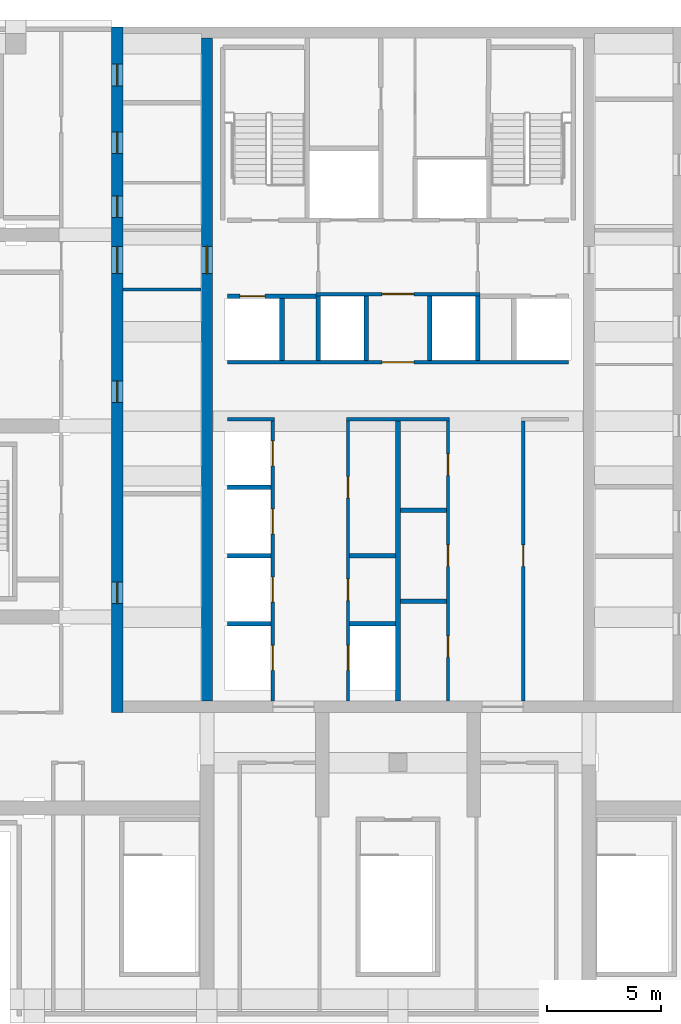
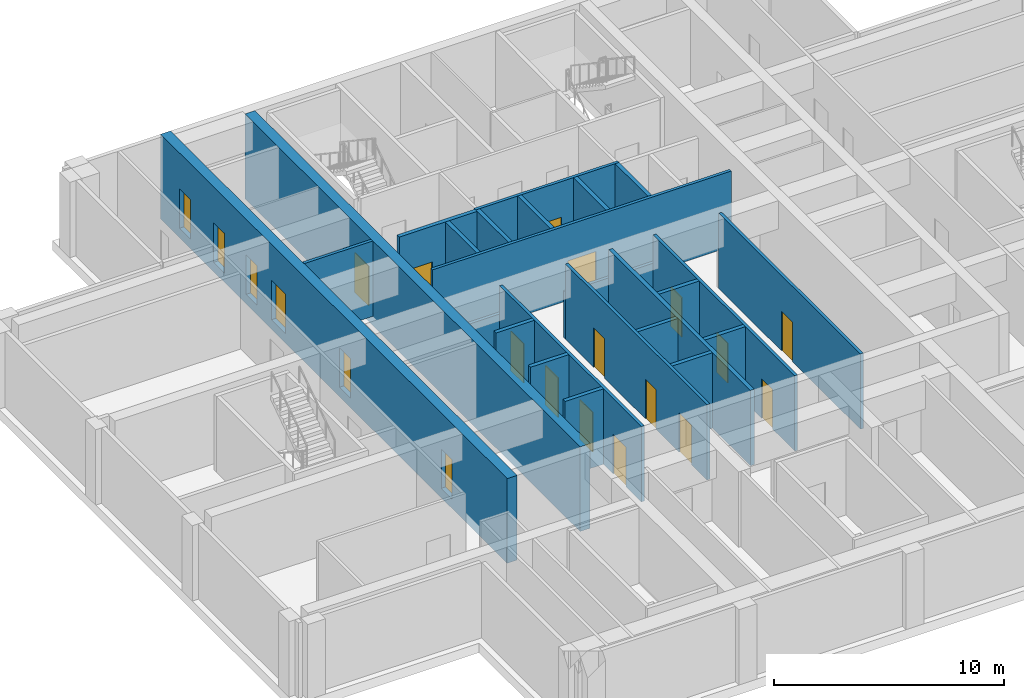
# One storey, part 3 of 11: 25 walls, 21 doors, 21 openings.
"""IFC4 building model written with IfcOpenShell, lengths in metres."""

from ifc_helpers import new_model, si_unit, direction, frame, frame_2d, origin, place, context, subcontext, project, spatial, rectangle, extrude, material, layer, layer_set, type_object, element, fill, save


model = new_model("IFC4")

# Units and contexts
model_context = context("Model", 3, precision=1e-05, world=origin(), true_north=direction((0.0, 1.0)))
body_context = subcontext(model_context, "Body", "Model", "MODEL_VIEW")
ifc_project = project(units=[si_unit("LENGTHUNIT", "METRE"), si_unit("AREAUNIT", "SQUARE_METRE"), si_unit("VOLUMEUNIT", "CUBIC_METRE"), si_unit("PLANEANGLEUNIT", "RADIAN"), si_unit("MASSUNIT", "GRAM", prefix="KILO")], contexts=[model_context])

# Site, building, storey
site_placement = place(None, origin())
site = spatial("IfcSite", under=ifc_project, at=site_placement, CompositionType="ELEMENT")
building_placement = place(site_placement, origin())
building = spatial("IfcBuilding", under=site, at=building_placement, Name="Vermilion Ogive Tower", CompositionType="ELEMENT")
storey_placement = place(building_placement, frame((0.0, 0.0, 264.85009765625)))
storey = spatial("IfcBuildingStorey", under=building, at=storey_placement, Name="L70", CompositionType="ELEMENT", Elevation=264.85009765625)

# Wall, openings, doors
ifc_material_1 = material(Name="Concrete B60", Category="concrete")
ifc_layer_1 = layer(ifc_material_1, 0.5)
ifc_layer_set_1 = layer_set([ifc_layer_1], Name="Core wall 500 B60")
wall_type_1 = type_object("IfcWallType", Name="Core wall 500 B60", PredefinedType="SHEAR", material=ifc_layer_set_1)
wall_1_placement = place(storey_placement, frame((-12.35009765625, -8.39990234375, -0.5), z_axis=(0.0, 0.0, 1.0), x_axis=(0.0, 1.0, 0.0)))
wall_1 = element("IfcWall", 1, at=wall_1_placement, inside=storey, type_object=wall_type_1, Name="L70-CORE-W", PredefinedType="SHEAR", context=body_context, shape_type="SweptSolid", body=[
    extrude(rectangle(XDim=30.14990234375, YDim=0.5, at=frame_2d((15.074951171875, 0.0))), origin(), (0.0, 0.0, 1.0), 4.5),
])
opening_1_placement = place(wall_1_placement, frame((4.78759765625, 0.0, 0.5)))
opening_1 = element("IfcOpeningElement", 2, at=opening_1_placement, cuts=wall_1, Name="Opening DAW006", PredefinedType="OPENING", context=body_context, shape_type="SweptSolid", body=[
    extrude(rectangle(XDim=0.949951171875, YDim=2.10009765625, at=frame_2d((0.47509765625, 1.050048828125))), frame((0.0, 0.260009765625, 0.0), z_axis=(0.0, -1.0, 0.0), x_axis=(1.0, 0.0, 0.0)), (0.0, 0.0, 1.0), 0.52001953125),
])
opening_2_placement = place(wall_1_placement, frame((13.6376953125, 0.0, 0.5)))
opening_2 = element("IfcOpeningElement", 3, at=opening_2_placement, cuts=wall_1, Name="Opening DAW007", PredefinedType="OPENING", context=body_context, shape_type="SweptSolid", body=[
    extrude(rectangle(XDim=0.949951171875, YDim=2.10009765625, at=frame_2d((0.47509765625, 1.050048828125))), frame((0.0, 0.260009765625, 0.0), z_axis=(0.0, -1.0, 0.0), x_axis=(1.0, 0.0, 0.0)), (0.0, 0.0, 1.0), 0.52001953125),
])
opening_3_placement = place(wall_1_placement, frame((21.7705078125, 0.0, 0.5)))
opening_3 = element("IfcOpeningElement", 4, at=opening_3_placement, cuts=wall_1, Name="Opening DAW008", PredefinedType="OPENING", context=body_context, shape_type="SweptSolid", body=[
    extrude(rectangle(XDim=0.949951171875, YDim=2.10009765625, at=frame_2d((0.47509765625, 1.050048828125))), frame((0.0, 0.260009765625, 0.0), z_axis=(0.0, -1.0, 0.0), x_axis=(1.0, 0.0, 0.0)), (0.0, 0.0, 1.0), 0.52001953125),
])
opening_4_placement = place(wall_1_placement, frame((24.57568359375, 0.0, 0.5)))
opening_4 = element("IfcOpeningElement", 5, at=opening_4_placement, cuts=wall_1, Name="Opening DAW009", PredefinedType="OPENING", context=body_context, shape_type="SweptSolid", body=[
    extrude(rectangle(XDim=0.949951171875, YDim=2.10009765625, at=frame_2d((0.47509765625, 1.050048828125))), frame((0.0, 0.260009765625, 0.0), z_axis=(0.0, -1.0, 0.0), x_axis=(1.0, 0.0, 0.0)), (0.0, 0.0, 1.0), 0.52001953125),
])
opening_5_placement = place(wall_1_placement, frame((27.555419921875, 0.0, 0.5)))
opening_5 = element("IfcOpeningElement", 6, at=opening_5_placement, cuts=wall_1, Name="Opening DAW010", PredefinedType="OPENING", context=body_context, shape_type="SweptSolid", body=[
    extrude(rectangle(XDim=0.949951171875, YDim=2.10009765625, at=frame_2d((0.47509765625, 1.050048828125))), frame((0.0, 0.260009765625, 0.0), z_axis=(0.0, -1.0, 0.0), x_axis=(1.0, 0.0, 0.0)), (0.0, 0.0, 1.0), 0.52001953125),
])
opening_6_placement = place(wall_1_placement, frame((19.300048828125, 0.0, 0.5)))
opening_6 = element("IfcOpeningElement", 7, at=opening_6_placement, cuts=wall_1, Name="Opening DBM003", PredefinedType="OPENING", context=body_context, shape_type="SweptSolid", body=[
    extrude(rectangle(XDim=1.199951171875, YDim=2.10009765625, at=frame_2d((0.60009765625, 1.050048828125))), frame((0.0, 0.260009765625, 0.0), z_axis=(0.0, -1.0, 0.0), x_axis=(1.0, 0.0, 0.0)), (0.0, 0.0, 1.0), 0.52001953125),
])
ifc_material_2 = material(Name="Timber door leaf", Category="wood")
door_type_1 = type_object("IfcDoorType", Name="Link door 1200 x 2100 FD60S", OperationType="SINGLE_SWING_LEFT", PredefinedType="DOOR", material=ifc_material_2)
door_1_placement = place(opening_6_placement, origin())
door_1 = element("IfcDoor", 8, at=door_1_placement, inside=storey, type_object=door_type_1, Name="L70-CKW-XL", OperationType="SINGLE_SWING_LEFT", OverallHeight=2.10009765625, OverallWidth=1.199951171875, PredefinedType="DOOR", context=body_context, shape_type="SweptSolid", body=[
    extrude(rectangle(XDim=1.199951171875, YDim=2.10009765625, at=frame_2d((0.60009765625, 1.050048828125))), frame((0.0, 0.02490234375, 0.0), z_axis=(0.0, -1.0, 0.0), x_axis=(1.0, 0.0, 0.0)), (0.0, 0.0, 1.0), 0.050048828125),
])
fill(opening_6, door_1)
ifc_material_3 = material(Name="Timber door leaf", Category="wood")
door_type_2 = type_object("IfcDoorType", Name="Service door 950 x 2100 FD60", OperationType="SINGLE_SWING_LEFT", PredefinedType="DOOR", material=ifc_material_3)
door_2_placement = place(opening_1_placement, origin())
door_2 = element("IfcDoor", 9, at=door_2_placement, inside=storey, type_object=door_type_2, Name="L70-CKW-XR0", OperationType="SINGLE_SWING_LEFT", OverallHeight=2.10009765625, OverallWidth=0.949951171875, PredefinedType="DOOR", context=body_context, shape_type="SweptSolid", body=[
    extrude(rectangle(XDim=0.949951171875, YDim=2.10009765625, at=frame_2d((0.47509765625, 1.050048828125))), frame((0.0, 0.02490234375, 0.0), z_axis=(0.0, -1.0, 0.0), x_axis=(1.0, 0.0, 0.0)), (0.0, 0.0, 1.0), 0.050048828125),
])
fill(opening_1, door_2)
door_3_placement = place(opening_2_placement, origin())
door_3 = element("IfcDoor", 10, at=door_3_placement, inside=storey, type_object=door_type_2, Name="L70-CKW-XR1", OperationType="SINGLE_SWING_LEFT", OverallHeight=2.10009765625, OverallWidth=0.949951171875, PredefinedType="DOOR", context=body_context, shape_type="SweptSolid", body=[
    extrude(rectangle(XDim=0.949951171875, YDim=2.10009765625, at=frame_2d((0.47509765625, 1.050048828125))), frame((0.0, 0.02490234375, 0.0), z_axis=(0.0, -1.0, 0.0), x_axis=(1.0, 0.0, 0.0)), (0.0, 0.0, 1.0), 0.050048828125),
])
fill(opening_2, door_3)
door_4_placement = place(opening_3_placement, origin())
door_4 = element("IfcDoor", 11, at=door_4_placement, inside=storey, type_object=door_type_2, Name="L70-CKW-XR2", OperationType="SINGLE_SWING_LEFT", OverallHeight=2.10009765625, OverallWidth=0.949951171875, PredefinedType="DOOR", context=body_context, shape_type="SweptSolid", body=[
    extrude(rectangle(XDim=0.949951171875, YDim=2.10009765625, at=frame_2d((0.47509765625, 1.050048828125))), frame((0.0, 0.02490234375, 0.0), z_axis=(0.0, -1.0, 0.0), x_axis=(1.0, 0.0, 0.0)), (0.0, 0.0, 1.0), 0.050048828125),
])
fill(opening_3, door_4)
door_5_placement = place(opening_4_placement, origin())
door_5 = element("IfcDoor", 12, at=door_5_placement, inside=storey, type_object=door_type_2, Name="L70-CKW-XR3", OperationType="SINGLE_SWING_LEFT", OverallHeight=2.10009765625, OverallWidth=0.949951171875, PredefinedType="DOOR", context=body_context, shape_type="SweptSolid", body=[
    extrude(rectangle(XDim=0.949951171875, YDim=2.10009765625, at=frame_2d((0.47509765625, 1.050048828125))), frame((0.0, 0.02490234375, 0.0), z_axis=(0.0, -1.0, 0.0), x_axis=(1.0, 0.0, 0.0)), (0.0, 0.0, 1.0), 0.050048828125),
])
fill(opening_4, door_5)
door_6_placement = place(opening_5_placement, origin())
door_6 = element("IfcDoor", 13, at=door_6_placement, inside=storey, type_object=door_type_2, Name="L70-CKW-XR4", OperationType="SINGLE_SWING_LEFT", OverallHeight=2.10009765625, OverallWidth=0.949951171875, PredefinedType="DOOR", context=body_context, shape_type="SweptSolid", body=[
    extrude(rectangle(XDim=0.949951171875, YDim=2.10009765625, at=frame_2d((0.47509765625, 1.050048828125))), frame((0.0, 0.02490234375, 0.0), z_axis=(0.0, -1.0, 0.0), x_axis=(1.0, 0.0, 0.0)), (0.0, 0.0, 1.0), 0.050048828125),
])
fill(opening_5, door_6)

# Wall, opening, door
wall_2_placement = place(storey_placement, frame((-8.39990234375, -7.89990234375, -0.5), z_axis=(0.0, 0.0, 1.0), x_axis=(0.0, 1.0, 0.0)))
wall_2 = element("IfcWall", 14, at=wall_2_placement, inside=storey, type_object=wall_type_1, Name="L70-CORE-WEB1", PredefinedType="SHEAR", context=body_context, shape_type="SweptSolid", body=[
    extrude(rectangle(XDim=29.14990234375, YDim=0.5, at=frame_2d((14.574951171875, 0.0))), origin(), (0.0, 0.0, 1.0), 4.5),
])
opening_7_placement = place(wall_2_placement, frame((18.800048828125, 0.0, 0.5)))
opening_7 = element("IfcOpeningElement", 15, at=opening_7_placement, cuts=wall_2, Name="Opening DBS002", PredefinedType="OPENING", context=body_context, shape_type="SweptSolid", body=[
    extrude(rectangle(XDim=1.199951171875, YDim=2.10009765625, at=frame_2d((0.60009765625, 1.050048828125))), frame((0.0, 0.260009765625, 0.0), z_axis=(0.0, -1.0, 0.0), x_axis=(1.0, 0.0, 0.0)), (0.0, 0.0, 1.0), 0.52001953125),
])
door_7_placement = place(opening_7_placement, origin())
door_7 = element("IfcDoor", 16, at=door_7_placement, inside=storey, type_object=door_type_1, Name="L70-CKW-XW", OperationType="SINGLE_SWING_LEFT", OverallHeight=2.10009765625, OverallWidth=1.199951171875, PredefinedType="DOOR", context=body_context, shape_type="SweptSolid", body=[
    extrude(rectangle(XDim=1.199951171875, YDim=2.10009765625, at=frame_2d((0.60009765625, 1.050048828125))), frame((0.0, 0.02490234375, 0.0), z_axis=(0.0, -1.0, 0.0), x_axis=(1.0, 0.0, 0.0)), (0.0, 0.0, 1.0), 0.050048828125),
])
fill(opening_7, door_7)

# Walls
ifc_material_4 = material(Name="Gypsum board partition on steel studs", Category="steel")
ifc_layer_2 = layer(ifc_material_4, 0.14990234375)
ifc_layer_set_2 = layer_set([ifc_layer_2], Name="Partition 150 corridor")
wall_type_2 = type_object("IfcWallType", Name="Partition 150 corridor", PredefinedType="PARTITIONING", material=ifc_layer_set_2)
wall_3_placement = place(storey_placement, frame((-7.5, 4.5, 0.0), z_axis=(0.0, 0.0, 1.0), x_axis=(1.0, 0.0, 0.0)))
element("IfcWall", 17, at=wall_3_placement, inside=storey, type_object=wall_type_2, Name="L70-CK-W-W008", PredefinedType="PARTITIONING", context=body_context, shape_type="SweptSolid", body=[
    extrude(rectangle(XDim=2.074951171875, YDim=0.14990234375, at=frame_2d((1.03759765625, 0.0))), origin(), (0.0, 0.0, 1.0), 2.5),
])
wall_4_placement = place(storey_placement, frame((-2.27490234375, 4.5, 0.0), z_axis=(0.0, 0.0, 1.0), x_axis=(1.0, 0.0, 0.0)))
element("IfcWall", 18, at=wall_4_placement, inside=storey, type_object=wall_type_2, Name="L70-CK-W-W009", PredefinedType="PARTITIONING", context=body_context, shape_type="SweptSolid", body=[
    extrude(rectangle(XDim=4.5498046875, YDim=0.14990234375, at=frame_2d((2.27490234375, 0.0))), origin(), (0.0, 0.0, 1.0), 2.5),
])

# Wall, opening, door
wall_5_placement = place(storey_placement, frame((-7.5, 7.0, 0.0), z_axis=(0.0, 0.0, 1.0), x_axis=(1.0, 0.0, 0.0)))
wall_5 = element("IfcWall", 19, at=wall_5_placement, inside=storey, type_object=wall_type_2, Name="L70-CK-W-W011", PredefinedType="PARTITIONING", context=body_context, shape_type="SweptSolid", body=[
    extrude(rectangle(XDim=15.0, YDim=0.14990234375, at=frame_2d((7.5, 0.0))), origin(), (0.0, 0.0, 1.0), 4.0),
])
opening_8_placement = place(wall_5_placement, frame((6.800048828125, 0.0, 0.0)))
opening_8 = element("IfcOpeningElement", 20, at=opening_8_placement, cuts=wall_5, Name="Opening DAF048", PredefinedType="OPENING", context=body_context, shape_type="SweptSolid", body=[
    extrude(rectangle(XDim=1.39990234375, YDim=2.10009765625, at=frame_2d((0.699951171875, 1.050048828125))), frame((0.0, 0.0849609375, 0.0), z_axis=(0.0, -1.0, 0.0), x_axis=(1.0, 0.0, 0.0)), (0.0, 0.0, 1.0), 0.169921875),
])
ifc_material_5 = material(Name="Timber door leaf", Category="wood")
door_type_3 = type_object("IfcDoorType", Name="Lobby door 1400 x 2100 FD60S", OperationType="SINGLE_SWING_LEFT", PredefinedType="DOOR", material=ifc_material_5)
door_8_placement = place(opening_8_placement, origin())
door_8 = element("IfcDoor", 21, at=door_8_placement, inside=storey, type_object=door_type_3, Name="L70-CK-D-D016", OperationType="SINGLE_SWING_RIGHT", OverallHeight=2.10009765625, OverallWidth=1.39990234375, PredefinedType="DOOR", context=body_context, shape_type="SweptSolid", body=[
    extrude(rectangle(XDim=1.39990234375, YDim=2.10009765625, at=frame_2d((0.699951171875, 1.050048828125))), frame((0.0, 0.02490234375, 0.0), z_axis=(0.0, -1.0, 0.0), x_axis=(1.0, 0.0, 0.0)), (0.0, 0.0, 1.0), 0.050048828125),
])
fill(opening_8, door_8)

wall_6_placement = place(storey_placement, frame((-3.60009765625, 10.0, 0.0), z_axis=(0.0, 0.0, 1.0), x_axis=(1.0, 0.0, 0.0)))
wall_6 = element("IfcWall", 22, at=wall_6_placement, inside=storey, type_object=wall_type_2, Name="L70-CK-W-W014", PredefinedType="PARTITIONING", context=body_context, shape_type="SweptSolid", body=[
    extrude(rectangle(XDim=7.2001953125, YDim=0.14990234375, at=frame_2d((3.60009765625, 0.0))), origin(), (0.0, 0.0, 1.0), 4.0),
])
opening_9_placement = place(wall_6_placement, frame((2.900146484375, 0.0, 0.0)))
opening_9 = element("IfcOpeningElement", 23, at=opening_9_placement, cuts=wall_6, Name="Opening DAF049", PredefinedType="OPENING", context=body_context, shape_type="SweptSolid", body=[
    extrude(rectangle(XDim=1.39990234375, YDim=2.10009765625, at=frame_2d((0.699951171875, 1.050048828125))), frame((0.0, 0.0849609375, 0.0), z_axis=(0.0, -1.0, 0.0), x_axis=(1.0, 0.0, 0.0)), (0.0, 0.0, 1.0), 0.169921875),
])
door_9_placement = place(opening_9_placement, origin())
door_9 = element("IfcDoor", 24, at=door_9_placement, inside=storey, type_object=door_type_3, Name="L70-CK-D-D017", OperationType="SINGLE_SWING_RIGHT", OverallHeight=2.10009765625, OverallWidth=1.39990234375, PredefinedType="DOOR", context=body_context, shape_type="SweptSolid", body=[
    extrude(rectangle(XDim=1.39990234375, YDim=2.10009765625, at=frame_2d((0.699951171875, 1.050048828125))), frame((0.0, 0.02490234375, 0.0), z_axis=(0.0, -1.0, 0.0), x_axis=(1.0, 0.0, 0.0)), (0.0, 0.0, 1.0), 0.050048828125),
])
fill(opening_9, door_9)

# Wall, openings, doors
wall_7_placement = place(storey_placement, frame((-5.5, -7.89892578125, 0.0), z_axis=(0.0, 0.0, 1.0), x_axis=(0.0, 1.0, 0.0)))
wall_7 = element("IfcWall", 25, at=wall_7_placement, inside=storey, type_object=wall_type_2, Name="L70-CK-W-W020", PredefinedType="PARTITIONING", context=body_context, shape_type="SweptSolid", body=[
    extrude(rectangle(XDim=12.323974609375, YDim=0.14990234375, at=frame_2d((6.162109375, 0.0))), origin(), (0.0, 0.0, 1.0), 4.0),
])
opening_10_placement = place(wall_7_placement, frame((1.348876953125, 0.0, 0.0)))
opening_10 = element("IfcOpeningElement", 26, at=opening_10_placement, cuts=wall_7, Name="Opening DAF061", PredefinedType="OPENING", context=body_context, shape_type="SweptSolid", body=[
    extrude(rectangle(XDim=1.10009765625, YDim=2.10009765625, at=frame_2d((0.550048828125, 1.050048828125))), frame((0.0, 0.0849609375, 0.0), z_axis=(0.0, -1.0, 0.0), x_axis=(1.0, 0.0, 0.0)), (0.0, 0.0, 1.0), 0.169921875),
])
opening_11_placement = place(wall_7_placement, frame((4.348876953125, 0.0, 0.0)))
opening_11 = element("IfcOpeningElement", 27, at=opening_11_placement, cuts=wall_7, Name="Opening DAF062", PredefinedType="OPENING", context=body_context, shape_type="SweptSolid", body=[
    extrude(rectangle(XDim=1.10009765625, YDim=2.10009765625, at=frame_2d((0.550048828125, 1.050048828125))), frame((0.0, 0.0849609375, 0.0), z_axis=(0.0, -1.0, 0.0), x_axis=(1.0, 0.0, 0.0)), (0.0, 0.0, 1.0), 0.169921875),
])
opening_12_placement = place(wall_7_placement, frame((7.348876953125, 0.0, 0.0)))
opening_12 = element("IfcOpeningElement", 28, at=opening_12_placement, cuts=wall_7, Name="Opening DAF063", PredefinedType="OPENING", context=body_context, shape_type="SweptSolid", body=[
    extrude(rectangle(XDim=1.10009765625, YDim=2.10009765625, at=frame_2d((0.550048828125, 1.050048828125))), frame((0.0, 0.0849609375, 0.0), z_axis=(0.0, -1.0, 0.0), x_axis=(1.0, 0.0, 0.0)), (0.0, 0.0, 1.0), 0.169921875),
])
opening_13_placement = place(wall_7_placement, frame((10.348876953125, 0.0, 0.0)))
opening_13 = element("IfcOpeningElement", 29, at=opening_13_placement, cuts=wall_7, Name="Opening DAF064", PredefinedType="OPENING", context=body_context, shape_type="SweptSolid", body=[
    extrude(rectangle(XDim=1.10009765625, YDim=2.10009765625, at=frame_2d((0.550048828125, 1.050048828125))), frame((0.0, 0.0849609375, 0.0), z_axis=(0.0, -1.0, 0.0), x_axis=(1.0, 0.0, 0.0)), (0.0, 0.0, 1.0), 0.169921875),
])
ifc_material_6 = material(Name="Stainless steel", Category="steel")
door_type_4 = type_object("IfcDoorType", Name="Lift landing door 1100 x 2100", OperationType="SLIDING_TO_LEFT", PredefinedType="DOOR", material=ifc_material_6)
door_10_placement = place(opening_10_placement, origin())
door_10 = element("IfcDoor", 30, at=door_10_placement, inside=storey, type_object=door_type_4, Name="L70-CK-D-D001", OperationType="SLIDING_TO_LEFT", OverallHeight=2.10009765625, OverallWidth=1.10009765625, PredefinedType="DOOR", context=body_context, shape_type="SweptSolid", body=[
    extrude(rectangle(XDim=1.10009765625, YDim=2.10009765625, at=frame_2d((0.550048828125, 1.050048828125))), frame((0.0, 0.02490234375, 0.0), z_axis=(0.0, -1.0, 0.0), x_axis=(1.0, 0.0, 0.0)), (0.0, 0.0, 1.0), 0.050048828125),
])
fill(opening_10, door_10)
door_11_placement = place(opening_11_placement, origin())
door_11 = element("IfcDoor", 31, at=door_11_placement, inside=storey, type_object=door_type_4, Name="L70-CK-D-D002", OperationType="SLIDING_TO_LEFT", OverallHeight=2.10009765625, OverallWidth=1.10009765625, PredefinedType="DOOR", context=body_context, shape_type="SweptSolid", body=[
    extrude(rectangle(XDim=1.10009765625, YDim=2.10009765625, at=frame_2d((0.550048828125, 1.050048828125))), frame((0.0, 0.02490234375, 0.0), z_axis=(0.0, -1.0, 0.0), x_axis=(1.0, 0.0, 0.0)), (0.0, 0.0, 1.0), 0.050048828125),
])
fill(opening_11, door_11)
door_12_placement = place(opening_12_placement, origin())
door_12 = element("IfcDoor", 32, at=door_12_placement, inside=storey, type_object=door_type_4, Name="L70-CK-D-D003", OperationType="SLIDING_TO_LEFT", OverallHeight=2.10009765625, OverallWidth=1.10009765625, PredefinedType="DOOR", context=body_context, shape_type="SweptSolid", body=[
    extrude(rectangle(XDim=1.10009765625, YDim=2.10009765625, at=frame_2d((0.550048828125, 1.050048828125))), frame((0.0, 0.02490234375, 0.0), z_axis=(0.0, -1.0, 0.0), x_axis=(1.0, 0.0, 0.0)), (0.0, 0.0, 1.0), 0.050048828125),
])
fill(opening_12, door_12)
door_13_placement = place(opening_13_placement, origin())
door_13 = element("IfcDoor", 33, at=door_13_placement, inside=storey, type_object=door_type_4, Name="L70-CK-D-D004", OperationType="SLIDING_TO_LEFT", OverallHeight=2.10009765625, OverallWidth=1.10009765625, PredefinedType="DOOR", context=body_context, shape_type="SweptSolid", body=[
    extrude(rectangle(XDim=1.10009765625, YDim=2.10009765625, at=frame_2d((0.550048828125, 1.050048828125))), frame((0.0, 0.02490234375, 0.0), z_axis=(0.0, -1.0, 0.0), x_axis=(1.0, 0.0, 0.0)), (0.0, 0.0, 1.0), 0.050048828125),
])
fill(opening_13, door_13)

wall_8_placement = place(storey_placement, frame((-2.199951171875, -7.89892578125, 0.0), z_axis=(0.0, 0.0, 1.0), x_axis=(0.0, 1.0, 0.0)))
wall_8 = element("IfcWall", 34, at=wall_8_placement, inside=storey, type_object=wall_type_2, Name="L70-CK-W-W025", PredefinedType="PARTITIONING", context=body_context, shape_type="SweptSolid", body=[
    extrude(rectangle(XDim=12.323974609375, YDim=0.14990234375, at=frame_2d((6.162109375, 0.0))), origin(), (0.0, 0.0, 1.0), 4.0),
])
opening_14_placement = place(wall_8_placement, frame((1.348876953125, 0.0, 0.0)))
opening_14 = element("IfcOpeningElement", 35, at=opening_14_placement, cuts=wall_8, Name="Opening DAF065", PredefinedType="OPENING", context=body_context, shape_type="SweptSolid", body=[
    extrude(rectangle(XDim=1.10009765625, YDim=2.10009765625, at=frame_2d((0.550048828125, 1.050048828125))), frame((0.0, 0.0849609375, 0.0), z_axis=(0.0, -1.0, 0.0), x_axis=(1.0, 0.0, 0.0)), (0.0, 0.0, 1.0), 0.169921875),
])
opening_15_placement = place(wall_8_placement, frame((4.423828125, 0.0, 0.0)))
opening_15 = element("IfcOpeningElement", 36, at=opening_15_placement, cuts=wall_8, Name="Opening DAF051", PredefinedType="OPENING", context=body_context, shape_type="SweptSolid", body=[
    extrude(rectangle(XDim=0.949951171875, YDim=2.10009765625, at=frame_2d((0.47509765625, 1.050048828125))), frame((0.0, 0.0849609375, 0.0), z_axis=(0.0, -1.0, 0.0), x_axis=(1.0, 0.0, 0.0)), (0.0, 0.0, 1.0), 0.169921875),
])
opening_16_placement = place(wall_8_placement, frame((8.923828125, 0.0, 0.0)))
opening_16 = element("IfcOpeningElement", 37, at=opening_16_placement, cuts=wall_8, Name="Opening DAF052", PredefinedType="OPENING", context=body_context, shape_type="SweptSolid", body=[
    extrude(rectangle(XDim=0.949951171875, YDim=2.10009765625, at=frame_2d((0.47509765625, 1.050048828125))), frame((0.0, 0.0849609375, 0.0), z_axis=(0.0, -1.0, 0.0), x_axis=(1.0, 0.0, 0.0)), (0.0, 0.0, 1.0), 0.169921875),
])
door_14_placement = place(opening_14_placement, origin())
door_14 = element("IfcDoor", 38, at=door_14_placement, inside=storey, type_object=door_type_4, Name="L70-CK-D-D005", OperationType="SLIDING_TO_LEFT", OverallHeight=2.10009765625, OverallWidth=1.10009765625, PredefinedType="DOOR", context=body_context, shape_type="SweptSolid", body=[
    extrude(rectangle(XDim=1.10009765625, YDim=2.10009765625, at=frame_2d((0.550048828125, 1.050048828125))), frame((0.0, 0.02490234375, 0.0), z_axis=(0.0, -1.0, 0.0), x_axis=(1.0, 0.0, 0.0)), (0.0, 0.0, 1.0), 0.050048828125),
])
fill(opening_14, door_14)
door_15_placement = place(opening_15_placement, origin())
door_15 = element("IfcDoor", 39, at=door_15_placement, inside=storey, type_object=door_type_2, Name="L70-CK-D-D006", OperationType="SINGLE_SWING_RIGHT", OverallHeight=2.10009765625, OverallWidth=0.949951171875, PredefinedType="DOOR", context=body_context, shape_type="SweptSolid", body=[
    extrude(rectangle(XDim=0.949951171875, YDim=2.10009765625, at=frame_2d((0.47509765625, 1.050048828125))), frame((0.0, 0.02490234375, 0.0), z_axis=(0.0, -1.0, 0.0), x_axis=(1.0, 0.0, 0.0)), (0.0, 0.0, 1.0), 0.050048828125),
])
fill(opening_15, door_15)
door_16_placement = place(opening_16_placement, origin())
door_16 = element("IfcDoor", 40, at=door_16_placement, inside=storey, type_object=door_type_2, Name="L70-CK-D-D007", OperationType="SINGLE_SWING_LEFT", OverallHeight=2.10009765625, OverallWidth=0.949951171875, PredefinedType="DOOR", context=body_context, shape_type="SweptSolid", body=[
    extrude(rectangle(XDim=0.949951171875, YDim=2.10009765625, at=frame_2d((0.47509765625, 1.050048828125))), frame((0.0, 0.02490234375, 0.0), z_axis=(0.0, -1.0, 0.0), x_axis=(1.0, 0.0, 0.0)), (0.0, 0.0, 1.0), 0.050048828125),
])
fill(opening_16, door_16)

wall_9_placement = place(storey_placement, frame((2.199951171875, -7.89892578125, 0.0), z_axis=(0.0, 0.0, 1.0), x_axis=(0.0, 1.0, 0.0)))
wall_9 = element("IfcWall", 41, at=wall_9_placement, inside=storey, type_object=wall_type_2, Name="L70-CK-W-W032", PredefinedType="PARTITIONING", context=body_context, shape_type="SweptSolid", body=[
    extrude(rectangle(XDim=12.323974609375, YDim=0.14990234375, at=frame_2d((6.162109375, 0.0))), origin(), (0.0, 0.0, 1.0), 4.0),
])
opening_17_placement = place(wall_9_placement, frame((1.923828125, 0.0, 0.0)))
opening_17 = element("IfcOpeningElement", 42, at=opening_17_placement, cuts=wall_9, Name="Opening DAF053", PredefinedType="OPENING", context=body_context, shape_type="SweptSolid", body=[
    extrude(rectangle(XDim=0.949951171875, YDim=2.10009765625, at=frame_2d((0.47509765625, 1.050048828125))), frame((0.0, 0.0849609375, 0.0), z_axis=(0.0, -1.0, 0.0), x_axis=(1.0, 0.0, 0.0)), (0.0, 0.0, 1.0), 0.169921875),
])
opening_18_placement = place(wall_9_placement, frame((5.923828125, 0.0, 0.0)))
opening_18 = element("IfcOpeningElement", 43, at=opening_18_placement, cuts=wall_9, Name="Opening DAF054", PredefinedType="OPENING", context=body_context, shape_type="SweptSolid", body=[
    extrude(rectangle(XDim=0.949951171875, YDim=2.10009765625, at=frame_2d((0.47509765625, 1.050048828125))), frame((0.0, 0.0849609375, 0.0), z_axis=(0.0, -1.0, 0.0), x_axis=(1.0, 0.0, 0.0)), (0.0, 0.0, 1.0), 0.169921875),
])
opening_19_placement = place(wall_9_placement, frame((9.923828125, 0.0, 0.0)))
opening_19 = element("IfcOpeningElement", 44, at=opening_19_placement, cuts=wall_9, Name="Opening DAF055", PredefinedType="OPENING", context=body_context, shape_type="SweptSolid", body=[
    extrude(rectangle(XDim=0.949951171875, YDim=2.10009765625, at=frame_2d((0.47509765625, 1.050048828125))), frame((0.0, 0.0849609375, 0.0), z_axis=(0.0, -1.0, 0.0), x_axis=(1.0, 0.0, 0.0)), (0.0, 0.0, 1.0), 0.169921875),
])
door_17_placement = place(opening_17_placement, origin())
door_17 = element("IfcDoor", 45, at=door_17_placement, inside=storey, type_object=door_type_2, Name="L70-CK-D-D008", OperationType="SINGLE_SWING_RIGHT", OverallHeight=2.10009765625, OverallWidth=0.949951171875, PredefinedType="DOOR", context=body_context, shape_type="SweptSolid", body=[
    extrude(rectangle(XDim=0.949951171875, YDim=2.10009765625, at=frame_2d((0.47509765625, 1.050048828125))), frame((0.0, 0.02490234375, 0.0), z_axis=(0.0, -1.0, 0.0), x_axis=(1.0, 0.0, 0.0)), (0.0, 0.0, 1.0), 0.050048828125),
])
fill(opening_17, door_17)
door_18_placement = place(opening_18_placement, origin())
door_18 = element("IfcDoor", 46, at=door_18_placement, inside=storey, type_object=door_type_2, Name="L70-CK-D-D009", OperationType="SINGLE_SWING_RIGHT", OverallHeight=2.10009765625, OverallWidth=0.949951171875, PredefinedType="DOOR", context=body_context, shape_type="SweptSolid", body=[
    extrude(rectangle(XDim=0.949951171875, YDim=2.10009765625, at=frame_2d((0.47509765625, 1.050048828125))), frame((0.0, 0.02490234375, 0.0), z_axis=(0.0, -1.0, 0.0), x_axis=(1.0, 0.0, 0.0)), (0.0, 0.0, 1.0), 0.050048828125),
])
fill(opening_18, door_18)
door_19_placement = place(opening_19_placement, origin())
door_19 = element("IfcDoor", 47, at=door_19_placement, inside=storey, type_object=door_type_2, Name="L70-CK-D-D010", OperationType="SINGLE_SWING_LEFT", OverallHeight=2.10009765625, OverallWidth=0.949951171875, PredefinedType="DOOR", context=body_context, shape_type="SweptSolid", body=[
    extrude(rectangle(XDim=0.949951171875, YDim=2.10009765625, at=frame_2d((0.47509765625, 1.050048828125))), frame((0.0, 0.02490234375, 0.0), z_axis=(0.0, -1.0, 0.0), x_axis=(1.0, 0.0, 0.0)), (0.0, 0.0, 1.0), 0.050048828125),
])
fill(opening_19, door_19)

# Wall, opening, door
wall_10_placement = place(storey_placement, frame((5.5, -7.89892578125, 0.0), z_axis=(0.0, 0.0, 1.0), x_axis=(0.0, 1.0, 0.0)))
wall_10 = element("IfcWall", 48, at=wall_10_placement, inside=storey, type_object=wall_type_2, Name="L70-CK-W-W038", PredefinedType="PARTITIONING", context=body_context, shape_type="SweptSolid", body=[
    extrude(rectangle(XDim=12.323974609375, YDim=0.14990234375, at=frame_2d((6.162109375, 0.0))), origin(), (0.0, 0.0, 1.0), 4.0),
])
opening_20_placement = place(wall_10_placement, frame((5.923828125, 0.0, 0.0)))
opening_20 = element("IfcOpeningElement", 49, at=opening_20_placement, cuts=wall_10, Name="Opening DAF056", PredefinedType="OPENING", context=body_context, shape_type="SweptSolid", body=[
    extrude(rectangle(XDim=0.949951171875, YDim=2.10009765625, at=frame_2d((0.47509765625, 1.050048828125))), frame((0.0, 0.0849609375, 0.0), z_axis=(0.0, -1.0, 0.0), x_axis=(1.0, 0.0, 0.0)), (0.0, 0.0, 1.0), 0.169921875),
])
door_20_placement = place(opening_20_placement, origin())
door_20 = element("IfcDoor", 50, at=door_20_placement, inside=storey, type_object=door_type_2, Name="L70-CK-D-D011", OperationType="SINGLE_SWING_LEFT", OverallHeight=2.10009765625, OverallWidth=0.949951171875, PredefinedType="DOOR", context=body_context, shape_type="SweptSolid", body=[
    extrude(rectangle(XDim=0.949951171875, YDim=2.10009765625, at=frame_2d((0.47509765625, 1.050048828125))), frame((0.0, 0.02490234375, 0.0), z_axis=(0.0, -1.0, 0.0), x_axis=(1.0, 0.0, 0.0)), (0.0, 0.0, 1.0), 0.050048828125),
])
fill(opening_20, door_20)

# Walls
wall_11_placement = place(storey_placement, frame((-12.09912109375, 10.199951171875, 0.0), z_axis=(0.0, 0.0, 1.0), x_axis=(1.0, 0.0, 0.0)))
element("IfcWall", 51, at=wall_11_placement, inside=storey, type_object=wall_type_2, Name="L70-CKW-W-W002", PredefinedType="PARTITIONING", context=body_context, shape_type="SweptSolid", body=[
    extrude(rectangle(XDim=3.4482421875, YDim=0.14990234375, at=frame_2d((1.72412109375, 0.0))), origin(), (0.0, 0.0, 1.0), 4.0),
])
ifc_material_7 = material(Name="Gypsum board partition on steel studs", Category="steel")
ifc_layer_3 = layer(ifc_material_7, 0.199951171875)
ifc_layer_set_3 = layer_set([ifc_layer_3], Name="Partition 200 party")
wall_type_3 = type_object("IfcWallType", Name="Partition 200 party", PredefinedType="PARTITIONING", material=ifc_layer_set_3)
wall_12_placement = place(storey_placement, frame((-7.5, -4.5, 0.0), z_axis=(0.0, 0.0, 1.0), x_axis=(1.0, 0.0, 0.0)))
element("IfcWall", 52, at=wall_12_placement, inside=storey, type_object=wall_type_3, Name="L70-CK-W-W001", PredefinedType="PARTITIONING", context=body_context, shape_type="SweptSolid", body=[
    extrude(rectangle(XDim=1.925048828125, YDim=0.199951171875, at=frame_2d((0.96240234375, 0.0))), origin(), (0.0, 0.0, 1.0), 4.0),
])
for number, where, z_axis, x_axis, name in (
    (53, (-2.125, -4.5, 0.0), (0.0, 0.0, 1.0), (1.0, 0.0, 0.0), "L70-CK-W-W002"),
    (54, (0.10009765625, -3.5, 0.0), (0.0, 0.0, 1.0), (1.0, 0.0, 0.0), "L70-CK-W-W003"),
):
    element("IfcWall", number, at=place(storey_placement, frame(where, z_axis=z_axis, x_axis=x_axis)), inside=storey, type_object=wall_type_3, Name=name, PredefinedType="PARTITIONING", context=body_context, shape_type="SweptSolid", body=[
        extrude(rectangle(XDim=2.02490234375, YDim=0.199951171875, at=frame_2d((1.012451171875, 0.0))), origin(), (0.0, 0.0, 1.0), 4.0),
    ])
wall_13_placement = place(storey_placement, frame((-7.5, -1.5, 0.0), z_axis=(0.0, 0.0, 1.0), x_axis=(1.0, 0.0, 0.0)))
element("IfcWall", 55, at=wall_13_placement, inside=storey, type_object=wall_type_3, Name="L70-CK-W-W004", PredefinedType="PARTITIONING", context=body_context, shape_type="SweptSolid", body=[
    extrude(rectangle(XDim=1.925048828125, YDim=0.199951171875, at=frame_2d((0.96240234375, 0.0))), origin(), (0.0, 0.0, 1.0), 4.0),
])
for number, where, z_axis, x_axis, name in (
    (56, (-2.125, -1.5, 0.0), (0.0, 0.0, 1.0), (1.0, 0.0, 0.0), "L70-CK-W-W005"),
    (57, (0.10009765625, 0.5, 0.0), (0.0, 0.0, 1.0), (1.0, 0.0, 0.0), "L70-CK-W-W006"),
):
    element("IfcWall", number, at=place(storey_placement, frame(where, z_axis=z_axis, x_axis=x_axis)), inside=storey, type_object=wall_type_3, Name=name, PredefinedType="PARTITIONING", context=body_context, shape_type="SweptSolid", body=[
        extrude(rectangle(XDim=2.02490234375, YDim=0.199951171875, at=frame_2d((1.012451171875, 0.0))), origin(), (0.0, 0.0, 1.0), 4.0),
    ])
wall_14_placement = place(storey_placement, frame((-7.5, 1.5, 0.0), z_axis=(0.0, 0.0, 1.0), x_axis=(1.0, 0.0, 0.0)))
element("IfcWall", 58, at=wall_14_placement, inside=storey, type_object=wall_type_3, Name="L70-CK-W-W007", PredefinedType="PARTITIONING", context=body_context, shape_type="SweptSolid", body=[
    extrude(rectangle(XDim=1.925048828125, YDim=0.199951171875, at=frame_2d((0.96240234375, 0.0))), origin(), (0.0, 0.0, 1.0), 4.0),
])

# Wall, opening, door
wall_15_placement = place(storey_placement, frame((-7.5, 9.89990234375, 0.0), z_axis=(0.0, 0.0, 1.0), x_axis=(1.0, 0.0, 0.0)))
wall_15 = element("IfcWall", 59, at=wall_15_placement, inside=storey, type_object=wall_type_3, Name="L70-CK-W-W012", PredefinedType="PARTITIONING", context=body_context, shape_type="SweptSolid", body=[
    extrude(rectangle(XDim=3.89990234375, YDim=0.199951171875, at=frame_2d((1.949951171875, 0.0))), origin(), (0.0, 0.0, 1.0), 4.0),
])
opening_21_placement = place(wall_15_placement, frame((0.550048828125, 0.0, 0.0)))
opening_21 = element("IfcOpeningElement", 60, at=opening_21_placement, cuts=wall_15, Name="Opening DAF066", PredefinedType="OPENING", context=body_context, shape_type="SweptSolid", body=[
    extrude(rectangle(XDim=1.10009765625, YDim=2.10009765625, at=frame_2d((0.550048828125, 1.050048828125))), frame((0.0, 0.10986328125, 0.0), z_axis=(0.0, -1.0, 0.0), x_axis=(1.0, 0.0, 0.0)), (0.0, 0.0, 1.0), 0.219970703125),
])
door_21_placement = place(opening_21_placement, origin())
door_21 = element("IfcDoor", 61, at=door_21_placement, inside=storey, type_object=door_type_4, Name="L70-CK-D-D013", OperationType="SLIDING_TO_RIGHT", OverallHeight=2.10009765625, OverallWidth=1.10009765625, PredefinedType="DOOR", context=body_context, shape_type="SweptSolid", body=[
    extrude(rectangle(XDim=1.10009765625, YDim=2.10009765625, at=frame_2d((0.550048828125, 1.050048828125))), frame((0.0, 0.02490234375, 0.0), z_axis=(0.0, -1.0, 0.0), x_axis=(1.0, 0.0, 0.0)), (0.0, 0.0, 1.0), 0.050048828125),
])
fill(opening_21, door_21)

# Walls
wall_16_placement = place(storey_placement, frame((-5.10009765625, 7.074951171875, 0.0), z_axis=(0.0, 0.0, 1.0), x_axis=(0.0, 1.0, 0.0)))
element("IfcWall", 62, at=wall_16_placement, inside=storey, type_object=wall_type_3, Name="L70-CK-W-W021", PredefinedType="PARTITIONING", context=body_context, shape_type="SweptSolid", body=[
    extrude(rectangle(XDim=2.72509765625, YDim=0.199951171875, at=frame_2d((1.362548828125, 0.0))), origin(), (0.0, 0.0, 1.0), 4.0),
])
for number, where, z_axis, x_axis, name in (
    (63, (-3.5, 7.074951171875, 0.0), (0.0, 0.0, 1.0), (0.0, 1.0, 0.0), "L70-CK-W-W023"),
    (64, (-1.39990234375, 7.074951171875, 0.0), (0.0, 0.0, 1.0), (0.0, 1.0, 0.0), "L70-CK-W-W026"),
):
    element("IfcWall", number, at=place(storey_placement, frame(where, z_axis=z_axis, x_axis=x_axis)), inside=storey, type_object=wall_type_3, Name=name, PredefinedType="PARTITIONING", context=body_context, shape_type="SweptSolid", body=[
        extrude(rectangle(XDim=2.85009765625, YDim=0.199951171875, at=frame_2d((1.425048828125, 0.0))), origin(), (0.0, 0.0, 1.0), 4.0),
    ])
wall_17_placement = place(storey_placement, frame((0.0, -7.89892578125, 0.0), z_axis=(0.0, 0.0, 1.0), x_axis=(0.0, 1.0, 0.0)))
element("IfcWall", 65, at=wall_17_placement, inside=storey, type_object=wall_type_3, Name="L70-CK-W-W028", PredefinedType="PARTITIONING", context=body_context, shape_type="SweptSolid", body=[
    extrude(rectangle(XDim=12.323974609375, YDim=0.199951171875, at=frame_2d((6.162109375, 0.0))), origin(), (0.0, 0.0, 1.0), 4.0),
])
for number, where, z_axis, x_axis, name in (
    (66, (1.39990234375, 7.074951171875, 0.0), (0.0, 0.0, 1.0), (0.0, 1.0, 0.0), "L70-CK-W-W031"),
    (67, (3.5, 7.074951171875, 0.0), (0.0, 0.0, 1.0), (0.0, 1.0, 0.0), "L70-CK-W-W033"),
):
    element("IfcWall", number, at=place(storey_placement, frame(where, z_axis=z_axis, x_axis=x_axis)), inside=storey, type_object=wall_type_3, Name=name, PredefinedType="PARTITIONING", context=body_context, shape_type="SweptSolid", body=[
        extrude(rectangle(XDim=2.85009765625, YDim=0.199951171875, at=frame_2d((1.425048828125, 0.0))), origin(), (0.0, 0.0, 1.0), 4.0),
    ])

save(model, "model.ifc")
